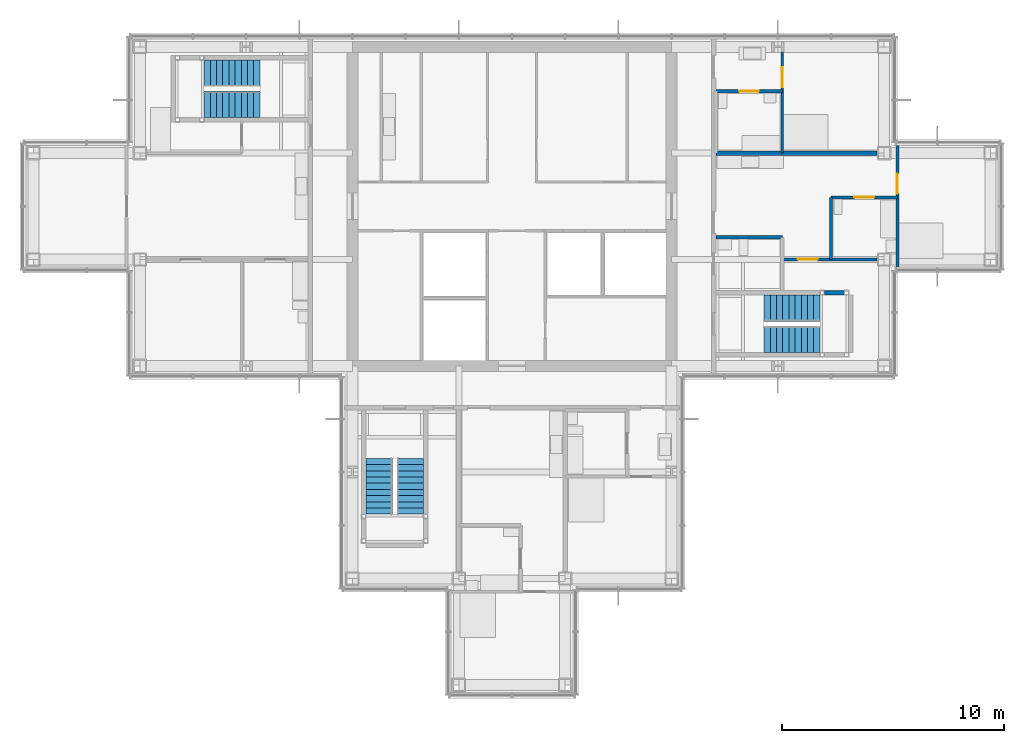
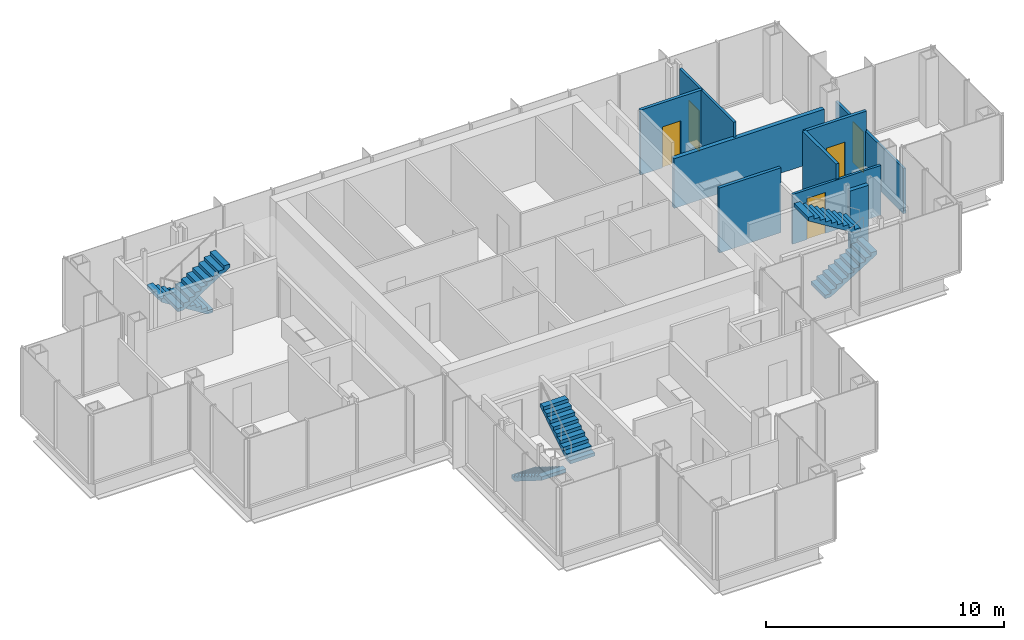
# One storey, part 12 of 15: 9 walls, 6 stair flights, 5 doors, 5 openings, 3 elements without a shape of their own.
"""IFC4 building model written with IfcOpenShell, lengths in metres."""

from ifc_helpers import new_model, si_unit, direction, frame, frame_2d, origin, place, context, subcontext, project, spatial, polyline, rectangle, outline, extrude, material, layer, layer_set, type_object, element, fill, aggregate, save


model = new_model("IFC4")

# Units and contexts
model_context = context("Model", 3, precision=1e-05, world=origin(), true_north=direction((0.0, 1.0)))
body_context = subcontext(model_context, "Body", "Model", "MODEL_VIEW")
ifc_project = project(units=[si_unit("LENGTHUNIT", "METRE"), si_unit("AREAUNIT", "SQUARE_METRE"), si_unit("VOLUMEUNIT", "CUBIC_METRE"), si_unit("PLANEANGLEUNIT", "RADIAN"), si_unit("MASSUNIT", "GRAM", prefix="KILO")], contexts=[model_context])

# Site, building, storey
site_placement = place(None, origin())
site = spatial("IfcSite", under=ifc_project, at=site_placement, CompositionType="ELEMENT")
building_placement = place(site_placement, origin())
building = spatial("IfcBuilding", under=site, at=building_placement, Name="Kvirike Care Tower", CompositionType="ELEMENT")
storey_placement = place(building_placement, frame((0.0, 0.0, 222.5)))
storey = spatial("IfcBuildingStorey", under=building, at=storey_placement, Name="L61", CompositionType="ELEMENT", Elevation=222.5)

# Wall
ifc_material_1 = material(Name="Moisture-resistant board partition", Category="gypsum")
ifc_layer_1 = layer(ifc_material_1, 0.14990234375)
ifc_layer_set_1 = layer_set([ifc_layer_1], Name="BATHROOM WALL 150")
wall_type_1 = type_object("IfcWallType", Name="BATHROOM WALL 150", PredefinedType="PARTITIONING", material=ifc_layer_set_1)
wall_1_placement = place(storey_placement, frame((33.800048828125, 34.60009765625, 0.0), z_axis=(0.0, 0.0, 1.0), x_axis=(-1.0, 0.0, 0.0)))
element("IfcWall", 1, at=wall_1_placement, inside=storey, type_object=wall_type_1, Name="Bathroom Wall 150 L61", PredefinedType="PARTITIONING", context=body_context, shape_type="SweptSolid", body=[
    extrude(rectangle(XDim=3.0, YDim=0.14990234375, at=frame_2d((1.5, 0.0))), origin(), (0.0, 0.0, 1.0), 3.330078125),
])

# Wall, opening, door
wall_2_placement = place(storey_placement, frame((39.0, 36.39990234375, 0.0), z_axis=(0.0, 0.0, 1.0), x_axis=(-1.0, 0.0, 0.0)))
wall_2 = element("IfcWall", 2, at=wall_2_placement, inside=storey, type_object=wall_type_1, Name="Bathroom Wall 150 L61", PredefinedType="PARTITIONING", context=body_context, shape_type="SweptSolid", body=[
    extrude(rectangle(XDim=3.0, YDim=0.14990234375, at=frame_2d((1.5, 0.0))), origin(), (0.0, 0.0, 1.0), 3.330078125),
])
opening_1_placement = place(wall_2_placement, frame((1.050048828125, 0.0, 0.0)))
opening_1 = element("IfcOpeningElement", 3, at=opening_1_placement, cuts=wall_2, Name="Opening 61-015", PredefinedType="OPENING", context=body_context, shape_type="SweptSolid", body=[
    extrude(rectangle(XDim=0.89990234375, YDim=2.10009765625, at=frame_2d((0.449951171875, 1.050048828125))), frame((0.0, 0.08544921875, 0.0), z_axis=(0.0, -1.0, 0.0), x_axis=(1.0, 0.0, 0.0)), (0.0, 0.0, 1.0), 0.1708984375),
])
ifc_material_2 = material(Name="Timber door set", Category="wood")
door_type_1 = type_object("IfcDoorType", Name="BATHROOM DOOR 900", OperationType="SINGLE_SWING_RIGHT", PredefinedType="DOOR", material=ifc_material_2)
door_1_placement = place(opening_1_placement, origin())
door_1 = element("IfcDoor", 4, at=door_1_placement, inside=storey, type_object=door_type_1, Name="Bathroom door", OperationType="SINGLE_SWING_LEFT", OverallHeight=2.10009765625, OverallWidth=0.89990234375, PredefinedType="DOOR", context=body_context, shape_type="SweptSolid", body=[
    extrude(rectangle(XDim=0.89990234375, YDim=2.10009765625, at=frame_2d((0.449951171875, 1.050048828125))), frame((0.0, 0.02197265625, 0.0), z_axis=(0.0, -1.0, 0.0), x_axis=(1.0, 0.0, 0.0)), (0.0, 0.0, 1.0), 0.0439453125),
])
fill(opening_1, door_1)

# Wall
wall_3_placement = place(storey_placement, frame((36.0, 33.60009765625, 0.0), z_axis=(0.0, 0.0, 1.0), x_axis=(0.0, 1.0, 0.0)))
element("IfcWall", 5, at=wall_3_placement, inside=storey, type_object=wall_type_1, Name="Bathroom Wall 150 L61", PredefinedType="PARTITIONING", context=body_context, shape_type="SweptSolid", body=[
    extrude(rectangle(XDim=2.7998046875, YDim=0.14990234375, at=frame_2d((1.39990234375, 0.0))), origin(), (0.0, 0.0, 1.0), 3.330078125),
])

# Wall, opening, door
wall_4_placement = place(storey_placement, frame((33.800048828125, 41.199951171875, 0.0), z_axis=(0.0, 0.0, 1.0), x_axis=(-1.0, 0.0, 0.0)))
wall_4 = element("IfcWall", 6, at=wall_4_placement, inside=storey, type_object=wall_type_1, Name="Bathroom Wall 150 L61", PredefinedType="PARTITIONING", context=body_context, shape_type="SweptSolid", body=[
    extrude(rectangle(XDim=3.0, YDim=0.14990234375, at=frame_2d((1.5, 0.0))), origin(), (0.0, 0.0, 1.0), 3.330078125),
])
opening_2_placement = place(wall_4_placement, frame((1.050048828125, 0.0, 0.0)))
opening_2 = element("IfcOpeningElement", 7, at=opening_2_placement, cuts=wall_4, Name="Opening 61-018", PredefinedType="OPENING", context=body_context, shape_type="SweptSolid", body=[
    extrude(rectangle(XDim=0.89990234375, YDim=2.10009765625, at=frame_2d((0.449951171875, 1.050048828125))), frame((0.0, 0.08544921875, 0.0), z_axis=(0.0, -1.0, 0.0), x_axis=(1.0, 0.0, 0.0)), (0.0, 0.0, 1.0), 0.1708984375),
])
door_2_placement = place(opening_2_placement, frame((0.89990234375, 0.0, 0.0), z_axis=(0.0, 0.0, 1.0), x_axis=(-1.0, 0.0, 0.0)))
door_2 = element("IfcDoor", 8, at=door_2_placement, inside=storey, type_object=door_type_1, Name="Bathroom door", OperationType="SINGLE_SWING_RIGHT", OverallHeight=2.10009765625, OverallWidth=0.89990234375, PredefinedType="DOOR", context=body_context, shape_type="SweptSolid", body=[
    extrude(rectangle(XDim=0.89990234375, YDim=2.10009765625, at=frame_2d((0.449951171875, 1.050048828125))), frame((0.0, 0.02197265625, 0.0), z_axis=(0.0, -1.0, 0.0), x_axis=(1.0, 0.0, 0.0)), (0.0, 0.0, 1.0), 0.0439453125),
])
fill(opening_2, door_2)

ifc_material_3 = material(Name="Plasterboard partition", Category="gypsum")
ifc_layer_2 = layer(ifc_material_3, 0.1201171875)
ifc_layer_set_2 = layer_set([ifc_layer_2], Name="PARTITION 120")
wall_type_2 = type_object("IfcWallType", Name="PARTITION 120", PredefinedType="PARTITIONING", material=ifc_layer_set_2)
wall_5_placement = place(storey_placement, frame((39.0, 33.14501953125, 0.0), z_axis=(0.0, 0.0, 1.0), x_axis=(0.0, 1.0, 0.0)))
wall_5 = element("IfcWall", 9, at=wall_5_placement, inside=storey, type_object=wall_type_2, Name="Partition 120 L61", PredefinedType="PARTITIONING", context=body_context, shape_type="SweptSolid", body=[
    extrude(rectangle(XDim=5.7099609375, YDim=0.1201171875, at=frame_2d((2.85498046875, 0.0))), origin(), (0.0, 0.0, 1.0), 2.320068359375),
])
opening_3_placement = place(wall_5_placement, frame((3.429931640625, 0.0, 0.0)))
opening_3 = element("IfcOpeningElement", 10, at=opening_3_placement, cuts=wall_5, Name="Opening 61-016", PredefinedType="OPENING", context=body_context, shape_type="SweptSolid", body=[
    extrude(rectangle(XDim=0.89990234375, YDim=2.10009765625, at=frame_2d((0.449951171875, 1.050048828125))), frame((0.0, 0.070556640625, 0.0), z_axis=(0.0, -1.0, 0.0), x_axis=(1.0, 0.0, 0.0)), (0.0, 0.0, 1.0), 0.14111328125),
])
ifc_material_4 = material(Name="Timber door set", Category="wood")
door_type_2 = type_object("IfcDoorType", Name="INTERNAL DOOR 900", OperationType="SINGLE_SWING_LEFT", PredefinedType="DOOR", material=ifc_material_4)
door_3_placement = place(opening_3_placement, frame((0.89990234375, 0.0, 0.0), z_axis=(0.0, 0.0, 1.0), x_axis=(-1.0, 0.0, 0.0)))
door_3 = element("IfcDoor", 11, at=door_3_placement, inside=storey, type_object=door_type_2, Name="Apartment bedroom door", OperationType="SINGLE_SWING_RIGHT", OverallHeight=2.10009765625, OverallWidth=0.89990234375, PredefinedType="DOOR", context=body_context, shape_type="SweptSolid", body=[
    extrude(rectangle(XDim=0.89990234375, YDim=2.10009765625, at=frame_2d((0.449951171875, 1.050048828125))), frame((0.0, 0.02197265625, 0.0), z_axis=(0.0, -1.0, 0.0), x_axis=(1.0, 0.0, 0.0)), (0.0, 0.0, 1.0), 0.0439453125),
])
fill(opening_3, door_3)

wall_6_placement = place(storey_placement, frame((38.080078125, 33.60009765625, 0.0), z_axis=(0.0, 0.0, 1.0), x_axis=(-1.0, 0.0, 0.0)))
wall_6 = element("IfcWall", 12, at=wall_6_placement, inside=storey, type_object=wall_type_2, Name="Partition 120 L61", PredefinedType="PARTITIONING", context=body_context, shape_type="SweptSolid", body=[
    extrude(rectangle(XDim=4.280029296875, YDim=0.1201171875, at=frame_2d((2.14013671875, 0.0))), origin(), (0.0, 0.0, 1.0), 2.550048828125),
])
opening_4_placement = place(wall_6_placement, frame((2.679931640625, 0.0, 0.0)))
opening_4 = element("IfcOpeningElement", 13, at=opening_4_placement, cuts=wall_6, Name="Opening 61-017", PredefinedType="OPENING", context=body_context, shape_type="SweptSolid", body=[
    extrude(rectangle(XDim=0.89990234375, YDim=2.10009765625, at=frame_2d((0.449951171875, 1.050048828125))), frame((0.0, 0.070556640625, 0.0), z_axis=(0.0, -1.0, 0.0), x_axis=(1.0, 0.0, 0.0)), (0.0, 0.0, 1.0), 0.14111328125),
])
door_4_placement = place(opening_4_placement, origin())
door_4 = element("IfcDoor", 14, at=door_4_placement, inside=storey, type_object=door_type_2, Name="Connecting door", OperationType="SINGLE_SWING_LEFT", OverallHeight=2.10009765625, OverallWidth=0.89990234375, PredefinedType="DOOR", context=body_context, shape_type="SweptSolid", body=[
    extrude(rectangle(XDim=0.89990234375, YDim=2.10009765625, at=frame_2d((0.449951171875, 1.050048828125))), frame((0.0, 0.02197265625, 0.0), z_axis=(0.0, -1.0, 0.0), x_axis=(1.0, 0.0, 0.0)), (0.0, 0.0, 1.0), 0.0439453125),
])
fill(opening_4, door_4)

wall_7_placement = place(storey_placement, frame((33.800048828125, 38.39990234375, 0.0), z_axis=(0.0, 0.0, 1.0), x_axis=(0.0, 1.0, 0.0)))
wall_7 = element("IfcWall", 15, at=wall_7_placement, inside=storey, type_object=wall_type_2, Name="Partition 120 L61", PredefinedType="PARTITIONING", context=body_context, shape_type="SweptSolid", body=[
    extrude(rectangle(XDim=4.55615234375, YDim=0.1201171875, at=frame_2d((2.278076171875, 0.0))), origin(), (0.0, 0.0, 1.0), 3.330078125),
])
opening_5_placement = place(wall_7_placement, frame((2.97509765625, 0.0, 0.0)))
opening_5 = element("IfcOpeningElement", 16, at=opening_5_placement, cuts=wall_7, Name="Opening 61-019", PredefinedType="OPENING", context=body_context, shape_type="SweptSolid", body=[
    extrude(rectangle(XDim=0.89990234375, YDim=2.10009765625, at=frame_2d((0.449951171875, 1.050048828125))), frame((0.0, 0.070556640625, 0.0), z_axis=(0.0, -1.0, 0.0), x_axis=(1.0, 0.0, 0.0)), (0.0, 0.0, 1.0), 0.14111328125),
])
door_5_placement = place(opening_5_placement, origin())
door_5 = element("IfcDoor", 17, at=door_5_placement, inside=storey, type_object=door_type_2, Name="Studio apartment living room door", OperationType="SINGLE_SWING_RIGHT", OverallHeight=2.10009765625, OverallWidth=0.89990234375, PredefinedType="DOOR", context=body_context, shape_type="SweptSolid", body=[
    extrude(rectangle(XDim=0.89990234375, YDim=2.10009765625, at=frame_2d((0.449951171875, 1.050048828125))), frame((0.0, 0.02197265625, 0.0), z_axis=(0.0, -1.0, 0.0), x_axis=(1.0, 0.0, 0.0)), (0.0, 0.0, 1.0), 0.0439453125),
])
fill(opening_5, door_5)

# Walls
ifc_material_5 = material(Name="Plasterboard party wall", Category="gypsum")
ifc_layer_3 = layer(ifc_material_5, 0.199951171875)
ifc_layer_set_3 = layer_set([ifc_layer_3], Name="PARTY WALL 200")
wall_type_3 = type_object("IfcWallType", Name="PARTY WALL 200", PredefinedType="PARTITIONING", material=ifc_layer_set_3)
wall_8_placement = place(storey_placement, frame((38.080078125, 38.39990234375, 0.0), z_axis=(0.0, 0.0, 1.0), x_axis=(-1.0, 0.0, 0.0)))
element("IfcWall", 18, at=wall_8_placement, inside=storey, type_object=wall_type_3, Name="Party Wall 200 L61", PredefinedType="PARTITIONING", context=body_context, shape_type="SweptSolid", body=[
    extrude(rectangle(XDim=7.280029296875, YDim=0.199951171875, at=frame_2d((3.64013671875, 0.0))), origin(), (0.0, 0.0, 1.0), 2.550048828125),
])
ifc_material_6 = material(Name="Concrete C40/50", Category="concrete")
ifc_layer_4 = layer(ifc_material_6, 0.199951171875)
ifc_layer_set_4 = layer_set([ifc_layer_4], Name="STAIR WALL 200")
wall_type_4 = type_object("IfcWallType", Name="STAIR WALL 200", PredefinedType="SOLIDWALL", material=ifc_layer_set_4)
wall_9_placement = place(storey_placement, frame((36.60009765625, 32.10009765625, 0.0), z_axis=(0.0, 0.0, 1.0), x_axis=(-1.0, 0.0, 0.0)))
element("IfcWall", 19, at=wall_9_placement, inside=storey, type_object=wall_type_4, Name="Stair Wall 200 L61", PredefinedType="SOLIDWALL", context=body_context, shape_type="SweptSolid", body=[
    extrude(rectangle(XDim=0.900146484375, YDim=0.199951171875, at=frame_2d((0.4501953125, 0.0))), origin(), (0.0, 0.0, 1.0), 2.989990234375),
])

# Stair, stair flights
ifc_material_7 = material(Name="Concrete C35/45", Category="concrete")
stair_type = type_object("IfcStairType", Name="STAIR 20 RISERS", PredefinedType="HALF_TURN_STAIR", material=ifc_material_7)
stair_1_placement = place(storey_placement, origin())
stair_1 = element("IfcStair", 20, at=stair_1_placement, inside=storey, type_object=stair_type, Name="Stair 1 L61", PredefinedType="HALF_TURN_STAIR")
ifc_material_8 = material(Name="Concrete C35/45", Category="concrete")
stair_flight_type = type_object("IfcStairFlightType", Name="FLIGHT 10 RISERS", PredefinedType="STRAIGHT", material=ifc_material_8)
stair_flight_1_placement = place(storey_placement, frame((10.219970703125, 42.0, 0.0), z_axis=(0.0, 0.0, 1.0), x_axis=(-1.0, 0.0, 0.0)))
stair_flight_1 = element("IfcStairFlight", 21, at=stair_flight_1_placement, type_object=stair_flight_type, Name="Stair S1 flight 1 L61-L62", NumberOfRisers=10, NumberOfTreads=9, PredefinedType="STRAIGHT", RiserHeight=0.175, TreadLength=0.28, context=body_context, shape_type="SweptSolid", body=[
    extrude(outline(polyline([(0.0, 0.0), (0.0, 0.175048828125), (0.280029296875, 0.175048828125), (0.280029296875, 0.35009765625), (0.56005859375, 0.35009765625), (0.56005859375, 0.52490234375), (0.840087890625, 0.52490234375), (0.840087890625, 0.699951171875), (1.1201171875, 0.699951171875), (1.1201171875, 0.875), (1.39990234375, 0.875), (1.39990234375, 1.050048828125), (1.679931640625, 1.050048828125), (1.679931640625, 1.22509765625), (1.9599609375, 1.22509765625), (1.9599609375, 1.39990234375), (2.239990234375, 1.39990234375), (2.239990234375, 1.574951171875), (2.52001953125, 1.574951171875), (2.52001953125, 1.75), (2.52001953125, 1.398193359375), (0.28271484375, 0.0), (0.0, 0.0)])), frame((0.0, 0.60009765625, 0.0), z_axis=(0.0, -1.0, 0.0), x_axis=(1.0, 0.0, 0.0)), (0.0, 0.0, 1.0), 1.199951171875),
])
stair_flight_2_placement = place(storey_placement, frame((7.699951171875, 40.60009765625, 1.75), z_axis=(0.0, 0.0, 1.0), x_axis=(1.0, 0.0, 0.0)))
stair_flight_2 = element("IfcStairFlight", 22, at=stair_flight_2_placement, type_object=stair_flight_type, Name="Stair S1 flight 2 L61-L62", NumberOfRisers=10, NumberOfTreads=9, PredefinedType="STRAIGHT", RiserHeight=0.175, TreadLength=0.28, context=body_context, shape_type="SweptSolid", body=[
    extrude(outline(polyline([(0.0, 0.0), (0.0, 0.175048828125), (0.280029296875, 0.175048828125), (0.280029296875, 0.35009765625), (0.56005859375, 0.35009765625), (0.56005859375, 0.52490234375), (0.840087890625, 0.52490234375), (0.840087890625, 0.699951171875), (1.1201171875, 0.699951171875), (1.1201171875, 0.875), (1.39990234375, 0.875), (1.39990234375, 1.050048828125), (1.679931640625, 1.050048828125), (1.679931640625, 1.22509765625), (1.9599609375, 1.22509765625), (1.9599609375, 1.39990234375), (2.239990234375, 1.39990234375), (2.239990234375, 1.574951171875), (2.52001953125, 1.574951171875), (2.52001953125, 1.75), (2.52001953125, 1.398193359375), (0.28271484375, 0.0), (0.0, 0.0)])), frame((0.0, 0.60009765625, 0.0), z_axis=(0.0, -1.0, 0.0), x_axis=(1.0, 0.0, 0.0)), (0.0, 0.0, 1.0), 1.199951171875),
])
aggregate(stair_1, [stair_flight_1, stair_flight_2])

stair_2_placement = place(storey_placement, origin())
stair_2 = element("IfcStair", 23, at=stair_2_placement, inside=storey, type_object=stair_type, Name="Stair 2 L61", PredefinedType="HALF_TURN_STAIR")
stair_flight_3_placement = place(storey_placement, frame((32.97998046875, 30.0, 0.0), z_axis=(0.0, 0.0, 1.0), x_axis=(1.0, 0.0, 0.0)))
stair_flight_3 = element("IfcStairFlight", 24, at=stair_flight_3_placement, type_object=stair_flight_type, Name="Stair S2 flight 1 L61-L62", NumberOfRisers=10, NumberOfTreads=9, PredefinedType="STRAIGHT", RiserHeight=0.175, TreadLength=0.28, context=body_context, shape_type="SweptSolid", body=[
    extrude(outline(polyline([(0.0, 0.0), (0.0, 0.175048828125), (0.280029296875, 0.175048828125), (0.280029296875, 0.35009765625), (0.56005859375, 0.35009765625), (0.56005859375, 0.52490234375), (0.840087890625, 0.52490234375), (0.840087890625, 0.699951171875), (1.1201171875, 0.699951171875), (1.1201171875, 0.875), (1.39990234375, 0.875), (1.39990234375, 1.050048828125), (1.679931640625, 1.050048828125), (1.679931640625, 1.22509765625), (1.9599609375, 1.22509765625), (1.9599609375, 1.39990234375), (2.239990234375, 1.39990234375), (2.239990234375, 1.574951171875), (2.52001953125, 1.574951171875), (2.52001953125, 1.75), (2.52001953125, 1.398193359375), (0.28271484375, 0.0), (0.0, 0.0)])), frame((0.0, 0.60009765625, 0.0), z_axis=(0.0, -1.0, 0.0), x_axis=(1.0, 0.0, 0.0)), (0.0, 0.0, 1.0), 1.199951171875),
])
stair_flight_4_placement = place(storey_placement, frame((35.5, 31.39990234375, 1.75), z_axis=(0.0, 0.0, 1.0), x_axis=(-1.0, 0.0, 0.0)))
stair_flight_4 = element("IfcStairFlight", 25, at=stair_flight_4_placement, type_object=stair_flight_type, Name="Stair S2 flight 2 L61-L62", NumberOfRisers=10, NumberOfTreads=9, PredefinedType="STRAIGHT", RiserHeight=0.175, TreadLength=0.28, context=body_context, shape_type="SweptSolid", body=[
    extrude(outline(polyline([(0.0, 0.0), (0.0, 0.175048828125), (0.280029296875, 0.175048828125), (0.280029296875, 0.35009765625), (0.56005859375, 0.35009765625), (0.56005859375, 0.52490234375), (0.840087890625, 0.52490234375), (0.840087890625, 0.699951171875), (1.1201171875, 0.699951171875), (1.1201171875, 0.875), (1.39990234375, 0.875), (1.39990234375, 1.050048828125), (1.679931640625, 1.050048828125), (1.679931640625, 1.22509765625), (1.9599609375, 1.22509765625), (1.9599609375, 1.39990234375), (2.239990234375, 1.39990234375), (2.239990234375, 1.574951171875), (2.52001953125, 1.574951171875), (2.52001953125, 1.75), (2.52001953125, 1.398193359375), (0.28271484375, 0.0), (0.0, 0.0)])), frame((0.0, 0.60009765625, 0.0), z_axis=(0.0, -1.0, 0.0), x_axis=(1.0, 0.0, 0.0)), (0.0, 0.0, 1.0), 1.199951171875),
])
aggregate(stair_2, [stair_flight_3, stair_flight_4])

stair_3_placement = place(storey_placement, origin())
stair_3 = element("IfcStair", 26, at=stair_3_placement, inside=storey, type_object=stair_type, Name="Stair 5 L61", PredefinedType="HALF_TURN_STAIR")
stair_flight_5_placement = place(storey_placement, frame((15.60009765625, 24.6201171875, 0.0), z_axis=(0.0, 0.0, 1.0), x_axis=(0.0, -1.0, 0.0)))
stair_flight_5 = element("IfcStairFlight", 27, at=stair_flight_5_placement, type_object=stair_flight_type, Name="Stair S5 flight 1 L61-L62", NumberOfRisers=10, NumberOfTreads=9, PredefinedType="STRAIGHT", RiserHeight=0.175, TreadLength=0.28, context=body_context, shape_type="SweptSolid", body=[
    extrude(outline(polyline([(0.0, 0.0), (0.0, 0.175048828125), (0.280029296875, 0.175048828125), (0.280029296875, 0.35009765625), (0.56005859375, 0.35009765625), (0.56005859375, 0.52490234375), (0.840087890625, 0.52490234375), (0.840087890625, 0.699951171875), (1.1201171875, 0.699951171875), (1.1201171875, 0.875), (1.39990234375, 0.875), (1.39990234375, 1.050048828125), (1.679931640625, 1.050048828125), (1.679931640625, 1.22509765625), (1.9599609375, 1.22509765625), (1.9599609375, 1.39990234375), (2.239990234375, 1.39990234375), (2.239990234375, 1.574951171875), (2.52001953125, 1.574951171875), (2.52001953125, 1.75), (2.52001953125, 1.398193359375), (0.28271484375, 0.0), (0.0, 0.0)])), frame((0.0, 0.60009765625, 0.0), z_axis=(0.0, -1.0, 0.0), x_axis=(1.0, 0.0, 0.0)), (0.0, 0.0, 1.0), 1.199951171875),
])
stair_flight_6_placement = place(storey_placement, frame((17.0, 22.10009765625, 1.75), z_axis=(0.0, 0.0, 1.0), x_axis=(0.0, 1.0, 0.0)))
stair_flight_6 = element("IfcStairFlight", 28, at=stair_flight_6_placement, type_object=stair_flight_type, Name="Stair S5 flight 2 L61-L62", NumberOfRisers=10, NumberOfTreads=9, PredefinedType="STRAIGHT", RiserHeight=0.175, TreadLength=0.28, context=body_context, shape_type="SweptSolid", body=[
    extrude(outline(polyline([(0.0, 0.0), (0.0, 0.175048828125), (0.280029296875, 0.175048828125), (0.280029296875, 0.35009765625), (0.56005859375, 0.35009765625), (0.56005859375, 0.52490234375), (0.840087890625, 0.52490234375), (0.840087890625, 0.699951171875), (1.1201171875, 0.699951171875), (1.1201171875, 0.875), (1.39990234375, 0.875), (1.39990234375, 1.050048828125), (1.679931640625, 1.050048828125), (1.679931640625, 1.22509765625), (1.9599609375, 1.22509765625), (1.9599609375, 1.39990234375), (2.239990234375, 1.39990234375), (2.239990234375, 1.574951171875), (2.52001953125, 1.574951171875), (2.52001953125, 1.75), (2.52001953125, 1.398193359375), (0.28271484375, 0.0), (0.0, 0.0)])), frame((0.0, 0.60009765625, 0.0), z_axis=(0.0, -1.0, 0.0), x_axis=(1.0, 0.0, 0.0)), (0.0, 0.0, 1.0), 1.199951171875),
])
aggregate(stair_3, [stair_flight_5, stair_flight_6])

save(model, "model.ifc")
